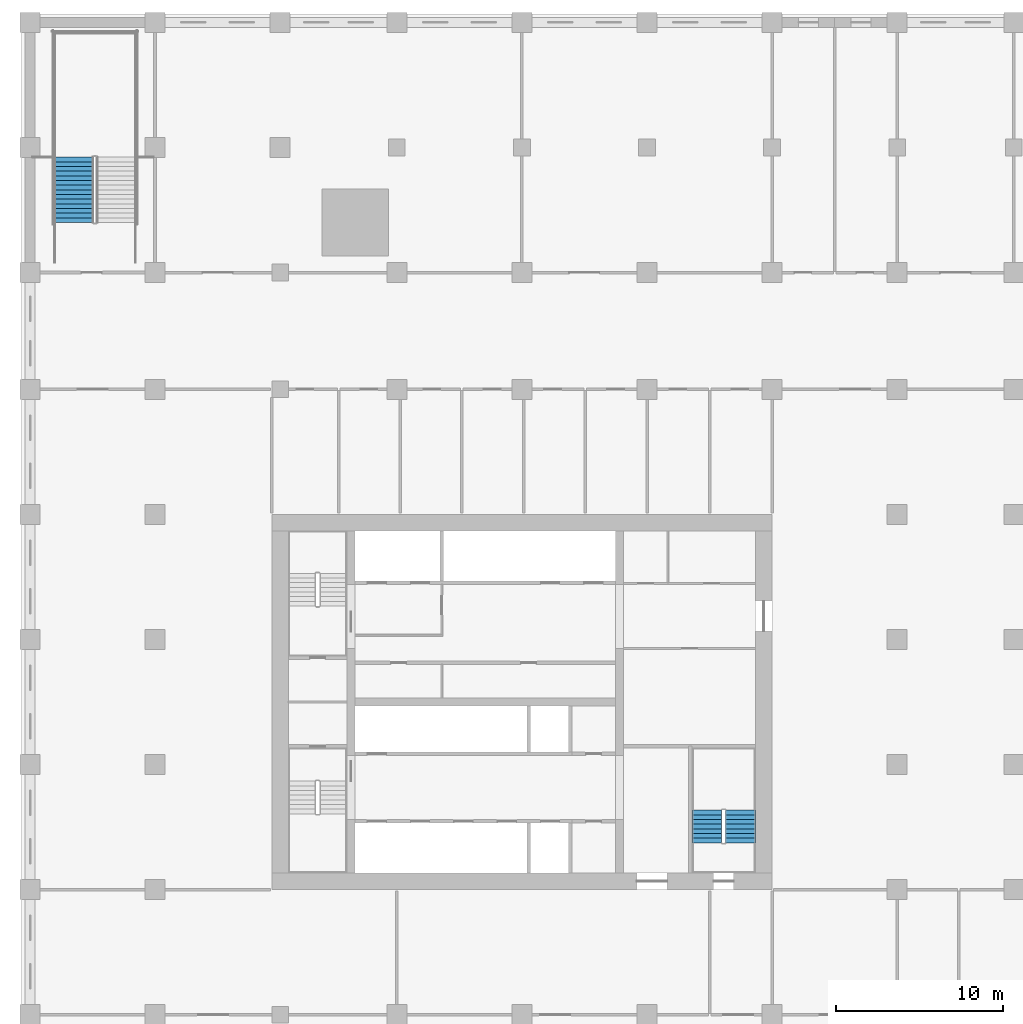
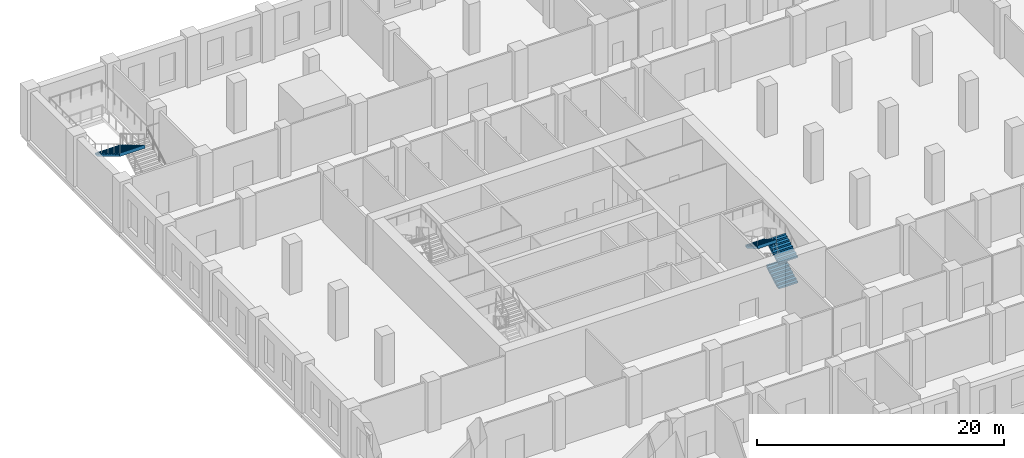
# One storey, part 15 of 22: 4 stair flights, 2 elements without a shape of their own.
"""IFC4 building model written with IfcOpenShell, lengths in metres."""

from ifc_helpers import new_model, si_unit, direction, frame, origin, place, context, subcontext, project, spatial, polyline, outline, extrude, material, type_object, element, aggregate, save


model = new_model("IFC4")

# Units and contexts
model_context = context("Model", 3, precision=1e-05, world=origin(), true_north=direction((0.0, 1.0)))
body_context = subcontext(model_context, "Body", "Model", "MODEL_VIEW")
ifc_project = project(units=[si_unit("LENGTHUNIT", "METRE"), si_unit("AREAUNIT", "SQUARE_METRE"), si_unit("VOLUMEUNIT", "CUBIC_METRE"), si_unit("PLANEANGLEUNIT", "RADIAN"), si_unit("MASSUNIT", "GRAM", prefix="KILO")], contexts=[model_context])

# Site, building, storey
site_placement = place(None, origin())
site = spatial("IfcSite", under=ifc_project, at=site_placement, CompositionType="ELEMENT")
building_placement = place(site_placement, origin())
building = spatial("IfcBuilding", under=site, at=building_placement, Name="Tamorin Gate", CompositionType="ELEMENT")
storey_placement = place(building_placement, frame((0.0, 0.0, 29.0)))
storey = spatial("IfcBuildingStorey", under=building, at=storey_placement, Name="L05", CompositionType="ELEMENT", Elevation=29.0)

# Stair, stair flights
ifc_material_1 = material(Name="Concrete C40/50", Category="concrete")
stair_type_1 = type_object("IfcStairType", Name="Exit stair", PredefinedType="HALF_TURN_STAIR", material=ifc_material_1)
stair_1_placement = place(storey_placement, origin())
stair_1 = element("IfcStair", 1, at=stair_1_placement, inside=storey, type_object=stair_type_1, Name="L05 stair ST3", PredefinedType="HALF_TURN_STAIR")
stair_flight_type_1 = type_object("IfcStairFlightType", Name="Exit stair flight", PredefinedType="STRAIGHT", material=ifc_material_1)
stair_flight_1_placement = place(storey_placement, frame((58.10009765625, 62.800048828125, 0.0), z_axis=(0.0, 0.0, 1.0), x_axis=(0.0, 1.0, 0.0)))
stair_flight_1 = element("IfcStairFlight", 2, at=stair_flight_1_placement, type_object=stair_flight_type_1, Name="ST3 flight 1", NumberOfRisers=8, NumberOfTreads=7, PredefinedType="STRAIGHT", RiserHeight=0.15625, TreadLength=0.28, context=body_context, shape_type="SweptSolid", body=[
    extrude(outline(polyline([(-0.00048828125, 0.0), (-0.00048828125, 0.00146484375), (-0.00048828125, 0.003173828125), (-0.00048828125, 0.004638671875), (-0.00048828125, 0.006103515625), (-0.00048828125, 0.0078125), (-0.00048828125, 0.00927734375), (-0.00048828125, 0.0107421875), (-0.00048828125, 0.012451171875), (-0.00048828125, 0.013916015625), (-0.00048828125, 0.015380859375), (-0.00048828125, 0.01708984375), (-0.00048828125, 0.0185546875), (-0.00048828125, 0.02001953125), (-0.00048828125, 0.021728515625), (-0.00048828125, 0.023193359375), (-0.00048828125, 0.024658203125), (-0.00048828125, 0.0263671875), (-0.00048828125, 0.02783203125), (-0.00048828125, 0.029296875), (-0.00048828125, 0.031005859375), (-0.00048828125, 0.032470703125), (-0.00048828125, 0.033935546875), (-0.00048828125, 0.03564453125), (-0.00048828125, 0.037109375), (-0.00048828125, 0.03857421875), (-0.00048828125, 0.040283203125), (-0.00048828125, 0.041748046875), (-0.00048828125, 0.043212890625), (-0.00048828125, 0.044921875), (-0.00048828125, 0.04638671875), (-0.00048828125, 0.0478515625), (-0.00048828125, 0.049560546875), (-0.00048828125, 0.051025390625), (-0.00048828125, 0.052490234375), (-0.00048828125, 0.05419921875), (-0.00048828125, 0.0556640625), (-0.00048828125, 0.05712890625), (-0.00048828125, 0.058837890625), (-0.00048828125, 0.060302734375), (-0.00048828125, 0.061767578125), (-0.00048828125, 0.0634765625), (-0.00048828125, 0.06494140625), (-0.00048828125, 0.06640625), (-0.00048828125, 0.068115234375), (-0.00048828125, 0.069580078125), (-0.00048828125, 0.071044921875), (-0.00048828125, 0.07275390625), (-0.00048828125, 0.07421875), (-0.00048828125, 0.07568359375), (-0.00048828125, 0.077392578125), (-0.00048828125, 0.078857421875), (-0.00048828125, 0.08056640625), (-0.00048828125, 0.08203125), (-0.00048828125, 0.08349609375), (-0.00048828125, 0.085205078125), (-0.00048828125, 0.086669921875), (-0.00048828125, 0.088134765625), (-0.00048828125, 0.08984375), (-0.00048828125, 0.09130859375), (-0.00048828125, 0.0927734375), (-0.00048828125, 0.094482421875), (-0.00048828125, 0.095947265625), (-0.00048828125, 0.097412109375), (-0.00048828125, 0.09912109375), (-0.00048828125, 0.1005859375), (-0.00048828125, 0.10205078125), (-0.00048828125, 0.103759765625), (-0.00048828125, 0.105224609375), (-0.00048828125, 0.106689453125), (-0.00048828125, 0.1083984375), (-0.00048828125, 0.10986328125), (-0.00048828125, 0.111328125), (-0.00048828125, 0.113037109375), (-0.00048828125, 0.114501953125), (-0.00048828125, 0.115966796875), (-0.00048828125, 0.11767578125), (-0.00048828125, 0.119140625), (-0.00048828125, 0.12060546875), (-0.00048828125, 0.122314453125), (-0.00048828125, 0.123779296875), (-0.00048828125, 0.125244140625), (-0.00048828125, 0.126953125), (-0.00048828125, 0.12841796875), (-0.00048828125, 0.1298828125), (-0.00048828125, 0.131591796875), (-0.00048828125, 0.133056640625), (-0.00048828125, 0.134521484375), (-0.00048828125, 0.13623046875), (-0.00048828125, 0.1376953125), (-0.00048828125, 0.13916015625), (-0.00048828125, 0.140869140625), (-0.00048828125, 0.142333984375), (-0.00048828125, 0.143798828125), (-0.00048828125, 0.1455078125), (-0.00048828125, 0.14697265625), (-0.00048828125, 0.1484375), (-0.00048828125, 0.150146484375), (-0.00048828125, 0.151611328125), (-0.00048828125, 0.153076171875), (-0.00048828125, 0.15478515625), (-0.00048828125, 0.15625), (0.280029296875, 0.15625), (0.280029296875, 0.3125), (0.56005859375, 0.3125), (0.56005859375, 0.46875), (0.840087890625, 0.46875), (0.840087890625, 0.625), (1.1201171875, 0.625), (1.1201171875, 0.78125), (1.39990234375, 0.78125), (1.39990234375, 0.9375), (1.679931640625, 0.9375), (1.679931640625, 1.09375), (1.9599609375, 1.09375), (1.9599609375, 1.25), (1.96044921875, 1.25), (1.96044921875, 1.246826171875), (1.96044921875, 1.243408203125), (1.96044921875, 1.240234375), (1.96044921875, 1.237060546875), (1.96044921875, 1.23388671875), (1.96044921875, 1.23046875), (1.96044921875, 1.227294921875), (1.96044921875, 1.22412109375), (1.96044921875, 1.220703125), (1.96044921875, 1.217529296875), (1.96044921875, 1.21435546875), (1.96044921875, 1.2109375), (1.96044921875, 1.207763671875), (1.96044921875, 1.20458984375), (1.96044921875, 1.201416015625), (1.96044921875, 1.197998046875), (1.96044921875, 1.19482421875), (1.96044921875, 1.191650390625), (1.96044921875, 1.188232421875), (1.96044921875, 1.18505859375), (1.96044921875, 1.181884765625), (1.96044921875, 1.178466796875), (1.96044921875, 1.17529296875), (1.96044921875, 1.172119140625), (1.96044921875, 1.1689453125), (1.96044921875, 1.16552734375), (1.96044921875, 1.162353515625), (1.96044921875, 1.1591796875), (1.96044921875, 1.15576171875), (1.96044921875, 1.152587890625), (1.96044921875, 1.1494140625), (1.96044921875, 1.14599609375), (1.96044921875, 1.142822265625), (1.96044921875, 1.1396484375), (1.96044921875, 1.136474609375), (1.96044921875, 1.133056640625), (1.96044921875, 1.1298828125), (1.96044921875, 1.126708984375), (1.96044921875, 1.123291015625), (1.96044921875, 1.1201171875), (1.96044921875, 1.116943359375), (1.96044921875, 1.113525390625), (1.96044921875, 1.1103515625), (1.96044921875, 1.107177734375), (1.96044921875, 1.10400390625), (1.96044921875, 1.1005859375), (1.96044921875, 1.097412109375), (1.96044921875, 1.09423828125), (1.96044921875, 1.0908203125), (1.96044921875, 1.087646484375), (1.96044921875, 1.08447265625), (1.96044921875, 1.0810546875), (1.96044921875, 1.077880859375), (1.96044921875, 1.07470703125), (1.96044921875, 1.071533203125), (1.96044921875, 1.068115234375), (1.96044921875, 1.06494140625), (1.96044921875, 1.061767578125), (1.96044921875, 1.058349609375), (1.96044921875, 1.05517578125), (1.96044921875, 1.052001953125), (1.96044921875, 1.048828125), (1.96044921875, 1.04541015625), (1.96044921875, 1.042236328125), (1.96044921875, 1.0390625), (1.96044921875, 1.03564453125), (1.96044921875, 1.032470703125), (1.96044921875, 1.029296875), (1.96044921875, 1.02587890625), (1.96044921875, 1.022705078125), (1.96044921875, 1.01953125), (1.96044921875, 1.016357421875), (1.96044921875, 1.012939453125), (1.96044921875, 1.009765625), (1.96044921875, 1.006591796875), (1.96044921875, 1.003173828125), (1.96044921875, 1.0), (1.96044921875, 0.996826171875), (1.96044921875, 0.993408203125), (1.96044921875, 0.990234375), (1.96044921875, 0.987060546875), (1.96044921875, 0.98388671875), (1.96044921875, 0.98046875), (1.96044921875, 0.977294921875), (1.96044921875, 0.97412109375), (1.96044921875, 0.970703125), (1.96044921875, 0.967529296875), (1.96044921875, 0.96435546875), (1.96044921875, 0.9609375), (1.96044921875, 0.957763671875), (1.96044921875, 0.95458984375), (1.96044921875, 0.951416015625), (1.96044921875, 0.947998046875), (1.96044921875, 0.94482421875), (1.96044921875, 0.941650390625), (1.96044921875, 0.938232421875), (1.96044921875, 0.93505859375), (1.96044921875, 0.931884765625), (1.96044921875, 0.928466796875), (1.96044921875, 0.92529296875), (1.96044921875, 0.922119140625), (1.9599609375, 0.922119140625), (0.3076171875, 0.0), (-0.00048828125, 0.0)])), frame((0.0, 0.89990234375, 0.0), z_axis=(0.0, -1.0, 0.0), x_axis=(1.0, 0.0, 0.0)), (0.0, 0.0, 1.0), 1.800048828125),
])
stair_flight_2_placement = place(storey_placement, frame((58.10009765625, 62.800048828125, 2.5), z_axis=(0.0, 0.0, 1.0), x_axis=(0.0, 1.0, 0.0)))
stair_flight_2 = element("IfcStairFlight", 3, at=stair_flight_2_placement, type_object=stair_flight_type_1, Name="ST3 flight 3", NumberOfRisers=8, NumberOfTreads=7, PredefinedType="STRAIGHT", RiserHeight=0.15625, TreadLength=0.28, context=body_context, shape_type="SweptSolid", body=[
    extrude(outline(polyline([(-0.00048828125, 0.0), (-0.00048828125, 0.00146484375), (-0.00048828125, 0.003173828125), (-0.00048828125, 0.004638671875), (-0.00048828125, 0.006103515625), (-0.00048828125, 0.0078125), (-0.00048828125, 0.00927734375), (-0.00048828125, 0.0107421875), (-0.00048828125, 0.012451171875), (-0.00048828125, 0.013916015625), (-0.00048828125, 0.015380859375), (-0.00048828125, 0.01708984375), (-0.00048828125, 0.0185546875), (-0.00048828125, 0.02001953125), (-0.00048828125, 0.021728515625), (-0.00048828125, 0.023193359375), (-0.00048828125, 0.024658203125), (-0.00048828125, 0.0263671875), (-0.00048828125, 0.02783203125), (-0.00048828125, 0.029296875), (-0.00048828125, 0.031005859375), (-0.00048828125, 0.032470703125), (-0.00048828125, 0.033935546875), (-0.00048828125, 0.03564453125), (-0.00048828125, 0.037109375), (-0.00048828125, 0.03857421875), (-0.00048828125, 0.040283203125), (-0.00048828125, 0.041748046875), (-0.00048828125, 0.043212890625), (-0.00048828125, 0.044921875), (-0.00048828125, 0.04638671875), (-0.00048828125, 0.0478515625), (-0.00048828125, 0.049560546875), (-0.00048828125, 0.051025390625), (-0.00048828125, 0.052490234375), (-0.00048828125, 0.05419921875), (-0.00048828125, 0.0556640625), (-0.00048828125, 0.05712890625), (-0.00048828125, 0.058837890625), (-0.00048828125, 0.060302734375), (-0.00048828125, 0.061767578125), (-0.00048828125, 0.0634765625), (-0.00048828125, 0.06494140625), (-0.00048828125, 0.06640625), (-0.00048828125, 0.068115234375), (-0.00048828125, 0.069580078125), (-0.00048828125, 0.071044921875), (-0.00048828125, 0.07275390625), (-0.00048828125, 0.07421875), (-0.00048828125, 0.07568359375), (-0.00048828125, 0.077392578125), (-0.00048828125, 0.078857421875), (-0.00048828125, 0.08056640625), (-0.00048828125, 0.08203125), (-0.00048828125, 0.08349609375), (-0.00048828125, 0.085205078125), (-0.00048828125, 0.086669921875), (-0.00048828125, 0.088134765625), (-0.00048828125, 0.08984375), (-0.00048828125, 0.09130859375), (-0.00048828125, 0.0927734375), (-0.00048828125, 0.094482421875), (-0.00048828125, 0.095947265625), (-0.00048828125, 0.097412109375), (-0.00048828125, 0.09912109375), (-0.00048828125, 0.1005859375), (-0.00048828125, 0.10205078125), (-0.00048828125, 0.103759765625), (-0.00048828125, 0.105224609375), (-0.00048828125, 0.106689453125), (-0.00048828125, 0.1083984375), (-0.00048828125, 0.10986328125), (-0.00048828125, 0.111328125), (-0.00048828125, 0.113037109375), (-0.00048828125, 0.114501953125), (-0.00048828125, 0.115966796875), (-0.00048828125, 0.11767578125), (-0.00048828125, 0.119140625), (-0.00048828125, 0.12060546875), (-0.00048828125, 0.122314453125), (-0.00048828125, 0.123779296875), (-0.00048828125, 0.125244140625), (-0.00048828125, 0.126953125), (-0.00048828125, 0.12841796875), (-0.00048828125, 0.1298828125), (-0.00048828125, 0.131591796875), (-0.00048828125, 0.133056640625), (-0.00048828125, 0.134521484375), (-0.00048828125, 0.13623046875), (-0.00048828125, 0.1376953125), (-0.00048828125, 0.13916015625), (-0.00048828125, 0.140869140625), (-0.00048828125, 0.142333984375), (-0.00048828125, 0.143798828125), (-0.00048828125, 0.1455078125), (-0.00048828125, 0.14697265625), (-0.00048828125, 0.1484375), (-0.00048828125, 0.150146484375), (-0.00048828125, 0.151611328125), (-0.00048828125, 0.153076171875), (-0.00048828125, 0.15478515625), (-0.00048828125, 0.15625), (0.280029296875, 0.15625), (0.280029296875, 0.3125), (0.56005859375, 0.3125), (0.56005859375, 0.46875), (0.840087890625, 0.46875), (0.840087890625, 0.625), (1.1201171875, 0.625), (1.1201171875, 0.78125), (1.39990234375, 0.78125), (1.39990234375, 0.9375), (1.679931640625, 0.9375), (1.679931640625, 1.09375), (1.9599609375, 1.09375), (1.9599609375, 1.25), (1.96044921875, 1.25), (1.96044921875, 1.246826171875), (1.96044921875, 1.243408203125), (1.96044921875, 1.240234375), (1.96044921875, 1.237060546875), (1.96044921875, 1.23388671875), (1.96044921875, 1.23046875), (1.96044921875, 1.227294921875), (1.96044921875, 1.22412109375), (1.96044921875, 1.220703125), (1.96044921875, 1.217529296875), (1.96044921875, 1.21435546875), (1.96044921875, 1.2109375), (1.96044921875, 1.207763671875), (1.96044921875, 1.20458984375), (1.96044921875, 1.201416015625), (1.96044921875, 1.197998046875), (1.96044921875, 1.19482421875), (1.96044921875, 1.191650390625), (1.96044921875, 1.188232421875), (1.96044921875, 1.18505859375), (1.96044921875, 1.181884765625), (1.96044921875, 1.178466796875), (1.96044921875, 1.17529296875), (1.96044921875, 1.172119140625), (1.96044921875, 1.1689453125), (1.96044921875, 1.16552734375), (1.96044921875, 1.162353515625), (1.96044921875, 1.1591796875), (1.96044921875, 1.15576171875), (1.96044921875, 1.152587890625), (1.96044921875, 1.1494140625), (1.96044921875, 1.14599609375), (1.96044921875, 1.142822265625), (1.96044921875, 1.1396484375), (1.96044921875, 1.136474609375), (1.96044921875, 1.133056640625), (1.96044921875, 1.1298828125), (1.96044921875, 1.126708984375), (1.96044921875, 1.123291015625), (1.96044921875, 1.1201171875), (1.96044921875, 1.116943359375), (1.96044921875, 1.113525390625), (1.96044921875, 1.1103515625), (1.96044921875, 1.107177734375), (1.96044921875, 1.10400390625), (1.96044921875, 1.1005859375), (1.96044921875, 1.097412109375), (1.96044921875, 1.09423828125), (1.96044921875, 1.0908203125), (1.96044921875, 1.087646484375), (1.96044921875, 1.08447265625), (1.96044921875, 1.0810546875), (1.96044921875, 1.077880859375), (1.96044921875, 1.07470703125), (1.96044921875, 1.071533203125), (1.96044921875, 1.068115234375), (1.96044921875, 1.06494140625), (1.96044921875, 1.061767578125), (1.96044921875, 1.058349609375), (1.96044921875, 1.05517578125), (1.96044921875, 1.052001953125), (1.96044921875, 1.048828125), (1.96044921875, 1.04541015625), (1.96044921875, 1.042236328125), (1.96044921875, 1.0390625), (1.96044921875, 1.03564453125), (1.96044921875, 1.032470703125), (1.96044921875, 1.029296875), (1.96044921875, 1.02587890625), (1.96044921875, 1.022705078125), (1.96044921875, 1.01953125), (1.96044921875, 1.016357421875), (1.96044921875, 1.012939453125), (1.96044921875, 1.009765625), (1.96044921875, 1.006591796875), (1.96044921875, 1.003173828125), (1.96044921875, 1.0), (1.96044921875, 0.996826171875), (1.96044921875, 0.993408203125), (1.96044921875, 0.990234375), (1.96044921875, 0.987060546875), (1.96044921875, 0.98388671875), (1.96044921875, 0.98046875), (1.96044921875, 0.977294921875), (1.96044921875, 0.97412109375), (1.96044921875, 0.970703125), (1.96044921875, 0.967529296875), (1.96044921875, 0.96435546875), (1.96044921875, 0.9609375), (1.96044921875, 0.957763671875), (1.96044921875, 0.95458984375), (1.96044921875, 0.951416015625), (1.96044921875, 0.947998046875), (1.96044921875, 0.94482421875), (1.96044921875, 0.941650390625), (1.96044921875, 0.938232421875), (1.96044921875, 0.93505859375), (1.96044921875, 0.931884765625), (1.96044921875, 0.928466796875), (1.96044921875, 0.92529296875), (1.96044921875, 0.922119140625), (1.9599609375, 0.922119140625), (0.3076171875, 0.0), (-0.00048828125, 0.0)])), frame((0.0, 0.89990234375, 0.0), z_axis=(0.0, -1.0, 0.0), x_axis=(1.0, 0.0, 0.0)), (0.0, 0.0, 1.0), 1.800048828125),
])
stair_flight_3_placement = place(storey_placement, frame((56.10009765625, 64.760009765625, 3.75), z_axis=(0.0, 0.0, 1.0), x_axis=(0.0, -1.0, 0.0)))
stair_flight_3 = element("IfcStairFlight", 4, at=stair_flight_3_placement, type_object=stair_flight_type_1, Name="ST3 flight 4", NumberOfRisers=8, NumberOfTreads=7, PredefinedType="STRAIGHT", RiserHeight=0.15625, TreadLength=0.28, context=body_context, shape_type="SweptSolid", body=[
    extrude(outline(polyline([(-0.00048828125, 0.0), (-0.00048828125, 0.00146484375), (-0.00048828125, 0.003173828125), (-0.00048828125, 0.004638671875), (-0.00048828125, 0.006103515625), (-0.00048828125, 0.0078125), (-0.00048828125, 0.00927734375), (-0.00048828125, 0.0107421875), (-0.00048828125, 0.012451171875), (-0.00048828125, 0.013916015625), (-0.00048828125, 0.015380859375), (-0.00048828125, 0.01708984375), (-0.00048828125, 0.0185546875), (-0.00048828125, 0.02001953125), (-0.00048828125, 0.021728515625), (-0.00048828125, 0.023193359375), (-0.00048828125, 0.024658203125), (-0.00048828125, 0.0263671875), (-0.00048828125, 0.02783203125), (-0.00048828125, 0.029296875), (-0.00048828125, 0.031005859375), (-0.00048828125, 0.032470703125), (-0.00048828125, 0.033935546875), (-0.00048828125, 0.03564453125), (-0.00048828125, 0.037109375), (-0.00048828125, 0.03857421875), (-0.00048828125, 0.040283203125), (-0.00048828125, 0.041748046875), (-0.00048828125, 0.043212890625), (-0.00048828125, 0.044921875), (-0.00048828125, 0.04638671875), (-0.00048828125, 0.0478515625), (-0.00048828125, 0.049560546875), (-0.00048828125, 0.051025390625), (-0.00048828125, 0.052490234375), (-0.00048828125, 0.05419921875), (-0.00048828125, 0.0556640625), (-0.00048828125, 0.05712890625), (-0.00048828125, 0.058837890625), (-0.00048828125, 0.060302734375), (-0.00048828125, 0.061767578125), (-0.00048828125, 0.0634765625), (-0.00048828125, 0.06494140625), (-0.00048828125, 0.06640625), (-0.00048828125, 0.068115234375), (-0.00048828125, 0.069580078125), (-0.00048828125, 0.071044921875), (-0.00048828125, 0.07275390625), (-0.00048828125, 0.07421875), (-0.00048828125, 0.07568359375), (-0.00048828125, 0.077392578125), (-0.00048828125, 0.078857421875), (-0.00048828125, 0.08056640625), (-0.00048828125, 0.08203125), (-0.00048828125, 0.08349609375), (-0.00048828125, 0.085205078125), (-0.00048828125, 0.086669921875), (-0.00048828125, 0.088134765625), (-0.00048828125, 0.08984375), (-0.00048828125, 0.09130859375), (-0.00048828125, 0.0927734375), (-0.00048828125, 0.094482421875), (-0.00048828125, 0.095947265625), (-0.00048828125, 0.097412109375), (-0.00048828125, 0.09912109375), (-0.00048828125, 0.1005859375), (-0.00048828125, 0.10205078125), (-0.00048828125, 0.103759765625), (-0.00048828125, 0.105224609375), (-0.00048828125, 0.106689453125), (-0.00048828125, 0.1083984375), (-0.00048828125, 0.10986328125), (-0.00048828125, 0.111328125), (-0.00048828125, 0.113037109375), (-0.00048828125, 0.114501953125), (-0.00048828125, 0.115966796875), (-0.00048828125, 0.11767578125), (-0.00048828125, 0.119140625), (-0.00048828125, 0.12060546875), (-0.00048828125, 0.122314453125), (-0.00048828125, 0.123779296875), (-0.00048828125, 0.125244140625), (-0.00048828125, 0.126953125), (-0.00048828125, 0.12841796875), (-0.00048828125, 0.1298828125), (-0.00048828125, 0.131591796875), (-0.00048828125, 0.133056640625), (-0.00048828125, 0.134521484375), (-0.00048828125, 0.13623046875), (-0.00048828125, 0.1376953125), (-0.00048828125, 0.13916015625), (-0.00048828125, 0.140869140625), (-0.00048828125, 0.142333984375), (-0.00048828125, 0.143798828125), (-0.00048828125, 0.1455078125), (-0.00048828125, 0.14697265625), (-0.00048828125, 0.1484375), (-0.00048828125, 0.150146484375), (-0.00048828125, 0.151611328125), (-0.00048828125, 0.153076171875), (-0.00048828125, 0.15478515625), (-0.00048828125, 0.15625), (0.280029296875, 0.15625), (0.280029296875, 0.3125), (0.56005859375, 0.3125), (0.56005859375, 0.46875), (0.840087890625, 0.46875), (0.840087890625, 0.625), (1.1201171875, 0.625), (1.1201171875, 0.78125), (1.39990234375, 0.78125), (1.39990234375, 0.9375), (1.679931640625, 0.9375), (1.679931640625, 1.09375), (1.9599609375, 1.09375), (1.9599609375, 1.25), (1.96044921875, 1.25), (1.96044921875, 1.246826171875), (1.96044921875, 1.243408203125), (1.96044921875, 1.240234375), (1.96044921875, 1.237060546875), (1.96044921875, 1.23388671875), (1.96044921875, 1.23046875), (1.96044921875, 1.227294921875), (1.96044921875, 1.22412109375), (1.96044921875, 1.220703125), (1.96044921875, 1.217529296875), (1.96044921875, 1.21435546875), (1.96044921875, 1.2109375), (1.96044921875, 1.207763671875), (1.96044921875, 1.20458984375), (1.96044921875, 1.201416015625), (1.96044921875, 1.197998046875), (1.96044921875, 1.19482421875), (1.96044921875, 1.191650390625), (1.96044921875, 1.188232421875), (1.96044921875, 1.18505859375), (1.96044921875, 1.181884765625), (1.96044921875, 1.178466796875), (1.96044921875, 1.17529296875), (1.96044921875, 1.172119140625), (1.96044921875, 1.1689453125), (1.96044921875, 1.16552734375), (1.96044921875, 1.162353515625), (1.96044921875, 1.1591796875), (1.96044921875, 1.15576171875), (1.96044921875, 1.152587890625), (1.96044921875, 1.1494140625), (1.96044921875, 1.14599609375), (1.96044921875, 1.142822265625), (1.96044921875, 1.1396484375), (1.96044921875, 1.136474609375), (1.96044921875, 1.133056640625), (1.96044921875, 1.1298828125), (1.96044921875, 1.126708984375), (1.96044921875, 1.123291015625), (1.96044921875, 1.1201171875), (1.96044921875, 1.116943359375), (1.96044921875, 1.113525390625), (1.96044921875, 1.1103515625), (1.96044921875, 1.107177734375), (1.96044921875, 1.10400390625), (1.96044921875, 1.1005859375), (1.96044921875, 1.097412109375), (1.96044921875, 1.09423828125), (1.96044921875, 1.0908203125), (1.96044921875, 1.087646484375), (1.96044921875, 1.08447265625), (1.96044921875, 1.0810546875), (1.96044921875, 1.077880859375), (1.96044921875, 1.07470703125), (1.96044921875, 1.071533203125), (1.96044921875, 1.068115234375), (1.96044921875, 1.06494140625), (1.96044921875, 1.061767578125), (1.96044921875, 1.058349609375), (1.96044921875, 1.05517578125), (1.96044921875, 1.052001953125), (1.96044921875, 1.048828125), (1.96044921875, 1.04541015625), (1.96044921875, 1.042236328125), (1.96044921875, 1.0390625), (1.96044921875, 1.03564453125), (1.96044921875, 1.032470703125), (1.96044921875, 1.029296875), (1.96044921875, 1.02587890625), (1.96044921875, 1.022705078125), (1.96044921875, 1.01953125), (1.96044921875, 1.016357421875), (1.96044921875, 1.012939453125), (1.96044921875, 1.009765625), (1.96044921875, 1.006591796875), (1.96044921875, 1.003173828125), (1.96044921875, 1.0), (1.96044921875, 0.996826171875), (1.96044921875, 0.993408203125), (1.96044921875, 0.990234375), (1.96044921875, 0.987060546875), (1.96044921875, 0.98388671875), (1.96044921875, 0.98046875), (1.96044921875, 0.977294921875), (1.96044921875, 0.97412109375), (1.96044921875, 0.970703125), (1.96044921875, 0.967529296875), (1.96044921875, 0.96435546875), (1.96044921875, 0.9609375), (1.96044921875, 0.957763671875), (1.96044921875, 0.95458984375), (1.96044921875, 0.951416015625), (1.96044921875, 0.947998046875), (1.96044921875, 0.94482421875), (1.96044921875, 0.941650390625), (1.96044921875, 0.938232421875), (1.96044921875, 0.93505859375), (1.96044921875, 0.931884765625), (1.96044921875, 0.928466796875), (1.96044921875, 0.92529296875), (1.96044921875, 0.922119140625), (1.9599609375, 0.922119140625), (0.3076171875, 0.0), (-0.00048828125, 0.0)])), frame((0.0, 0.89990234375, 0.0), z_axis=(0.0, -1.0, 0.0), x_axis=(1.0, 0.0, 0.0)), (0.0, 0.0, 1.0), 1.800048828125),
])
aggregate(stair_1, [stair_flight_1, stair_flight_2, stair_flight_3])

# Stair, stair flight
ifc_material_2 = material(Name="Reinforced concrete C32/40", Category="concrete")
stair_type_2 = type_object("IfcStairType", Name="Podium stair PS", PredefinedType="HALF_TURN_STAIR", material=ifc_material_2)
stair_2_placement = place(storey_placement, origin())
stair_2 = element("IfcStair", 5, at=stair_2_placement, inside=storey, type_object=stair_type_2, Name="L05 Podium stair PS2", PredefinedType="HALF_TURN_STAIR")
stair_flight_type_2 = type_object("IfcStairFlightType", Name="Stair flight 2400", PredefinedType="STRAIGHT", material=ifc_material_2)
stair_flight_4_placement = place(storey_placement, frame((18.125, 103.919921875, 2.5), z_axis=(0.0, 0.0, 1.0), x_axis=(0.0, -1.0, 0.0)))
stair_flight_4 = element("IfcStairFlight", 6, at=stair_flight_4_placement, type_object=stair_flight_type_2, Name="PS2 flight 2", NumberOfRisers=15, NumberOfTreads=14, PredefinedType="STRAIGHT", RiserHeight=0.166666667, TreadLength=0.28, context=body_context, shape_type="SweptSolid", body=[
    extrude(outline(polyline([(-0.00048828125, 0.0), (-0.00048828125, 0.001708984375), (-0.00048828125, 0.00341796875), (-0.00048828125, 0.0048828125), (-0.00048828125, 0.006591796875), (-0.00048828125, 0.00830078125), (-0.00048828125, 0.010009765625), (-0.00048828125, 0.011474609375), (-0.00048828125, 0.01318359375), (-0.00048828125, 0.014892578125), (-0.00048828125, 0.0166015625), (-0.00048828125, 0.01806640625), (-0.00048828125, 0.019775390625), (-0.00048828125, 0.021484375), (-0.00048828125, 0.023193359375), (-0.00048828125, 0.024658203125), (-0.00048828125, 0.0263671875), (-0.00048828125, 0.028076171875), (-0.00048828125, 0.02978515625), (-0.00048828125, 0.03125), (-0.00048828125, 0.032958984375), (-0.00048828125, 0.03466796875), (-0.00048828125, 0.036376953125), (-0.00048828125, 0.037841796875), (-0.00048828125, 0.03955078125), (-0.00048828125, 0.041259765625), (-0.00048828125, 0.04296875), (-0.00048828125, 0.04443359375), (-0.00048828125, 0.046142578125), (-0.00048828125, 0.0478515625), (-0.00048828125, 0.049560546875), (-0.00048828125, 0.05126953125), (-0.00048828125, 0.052734375), (-0.00048828125, 0.054443359375), (-0.00048828125, 0.05615234375), (-0.00048828125, 0.057861328125), (-0.00048828125, 0.059326171875), (-0.00048828125, 0.06103515625), (-0.00048828125, 0.062744140625), (-0.00048828125, 0.064453125), (-0.00048828125, 0.06591796875), (-0.00048828125, 0.067626953125), (-0.00048828125, 0.0693359375), (-0.00048828125, 0.071044921875), (-0.00048828125, 0.072509765625), (-0.00048828125, 0.07421875), (-0.00048828125, 0.075927734375), (-0.00048828125, 0.07763671875), (-0.00048828125, 0.0791015625), (-0.00048828125, 0.080810546875), (-0.00048828125, 0.08251953125), (-0.00048828125, 0.084228515625), (-0.00048828125, 0.085693359375), (-0.00048828125, 0.08740234375), (-0.00048828125, 0.089111328125), (-0.00048828125, 0.0908203125), (-0.00048828125, 0.092529296875), (-0.00048828125, 0.093994140625), (-0.00048828125, 0.095703125), (-0.00048828125, 0.097412109375), (-0.00048828125, 0.09912109375), (-0.00048828125, 0.1005859375), (-0.00048828125, 0.102294921875), (-0.00048828125, 0.10400390625), (-0.00048828125, 0.105712890625), (-0.00048828125, 0.107177734375), (-0.00048828125, 0.10888671875), (-0.00048828125, 0.110595703125), (-0.00048828125, 0.1123046875), (-0.00048828125, 0.11376953125), (-0.00048828125, 0.115478515625), (-0.00048828125, 0.1171875), (-0.00048828125, 0.118896484375), (-0.00048828125, 0.120361328125), (-0.00048828125, 0.1220703125), (-0.00048828125, 0.123779296875), (-0.00048828125, 0.12548828125), (-0.00048828125, 0.126953125), (-0.00048828125, 0.128662109375), (-0.00048828125, 0.13037109375), (-0.00048828125, 0.132080078125), (-0.00048828125, 0.133544921875), (-0.00048828125, 0.13525390625), (-0.00048828125, 0.136962890625), (-0.00048828125, 0.138671875), (-0.00048828125, 0.140380859375), (-0.00048828125, 0.141845703125), (-0.00048828125, 0.1435546875), (-0.00048828125, 0.145263671875), (-0.00048828125, 0.14697265625), (-0.00048828125, 0.1484375), (-0.00048828125, 0.150146484375), (-0.00048828125, 0.15185546875), (-0.00048828125, 0.153564453125), (-0.00048828125, 0.155029296875), (-0.00048828125, 0.15673828125), (-0.00048828125, 0.158447265625), (-0.00048828125, 0.16015625), (-0.00048828125, 0.16162109375), (-0.00048828125, 0.163330078125), (-0.00048828125, 0.1650390625), (-0.00048828125, 0.166748046875), (0.280029296875, 0.166748046875), (0.280029296875, 0.333251953125), (0.56005859375, 0.333251953125), (0.56005859375, 0.5), (0.840087890625, 0.5), (0.840087890625, 0.666748046875), (1.1201171875, 0.666748046875), (1.1201171875, 0.833251953125), (1.39990234375, 0.833251953125), (1.39990234375, 1.0), (1.679931640625, 1.0), (1.679931640625, 1.166748046875), (1.9599609375, 1.166748046875), (1.9599609375, 1.333251953125), (2.239990234375, 1.333251953125), (2.239990234375, 1.5), (2.52001953125, 1.5), (2.52001953125, 1.666748046875), (2.800048828125, 1.666748046875), (2.800048828125, 1.833251953125), (3.080078125, 1.833251953125), (3.080078125, 2.0), (3.360107421875, 2.0), (3.360107421875, 2.166748046875), (3.639892578125, 2.166748046875), (3.639892578125, 2.333251953125), (3.919921875, 2.333251953125), (3.919921875, 2.5), (3.92041015625, 2.5), (3.92041015625, 2.49658203125), (3.92041015625, 2.4931640625), (3.92041015625, 2.48974609375), (3.92041015625, 2.486572265625), (3.92041015625, 2.483154296875), (3.92041015625, 2.479736328125), (3.92041015625, 2.476318359375), (3.92041015625, 2.472900390625), (3.92041015625, 2.469482421875), (3.92041015625, 2.46630859375), (3.92041015625, 2.462890625), (3.92041015625, 2.45947265625), (3.92041015625, 2.4560546875), (3.92041015625, 2.45263671875), (3.92041015625, 2.44921875), (3.92041015625, 2.446044921875), (3.92041015625, 2.442626953125), (3.92041015625, 2.439208984375), (3.92041015625, 2.435791015625), (3.92041015625, 2.432373046875), (3.92041015625, 2.428955078125), (3.92041015625, 2.42578125), (3.92041015625, 2.42236328125), (3.92041015625, 2.4189453125), (3.92041015625, 2.41552734375), (3.92041015625, 2.412109375), (3.92041015625, 2.40869140625), (3.92041015625, 2.405517578125), (3.92041015625, 2.402099609375), (3.92041015625, 2.398681640625), (3.92041015625, 2.395263671875), (3.92041015625, 2.391845703125), (3.92041015625, 2.388427734375), (3.92041015625, 2.38525390625), (3.92041015625, 2.3818359375), (3.92041015625, 2.37841796875), (3.92041015625, 2.375), (3.92041015625, 2.37158203125), (3.92041015625, 2.3681640625), (3.92041015625, 2.364990234375), (3.92041015625, 2.361572265625), (3.92041015625, 2.358154296875), (3.92041015625, 2.354736328125), (3.92041015625, 2.351318359375), (3.92041015625, 2.347900390625), (3.92041015625, 2.3447265625), (3.92041015625, 2.34130859375), (3.92041015625, 2.337890625), (3.92041015625, 2.33447265625), (3.92041015625, 2.3310546875), (3.92041015625, 2.32763671875), (3.92041015625, 2.324462890625), (3.92041015625, 2.321044921875), (3.92041015625, 2.317626953125), (3.92041015625, 2.314208984375), (3.92041015625, 2.310791015625), (3.92041015625, 2.307373046875), (3.92041015625, 2.30419921875), (3.92041015625, 2.30078125), (3.92041015625, 2.29736328125), (3.92041015625, 2.2939453125), (3.92041015625, 2.29052734375), (3.92041015625, 2.287109375), (3.92041015625, 2.283935546875), (3.92041015625, 2.280517578125), (3.92041015625, 2.277099609375), (3.92041015625, 2.273681640625), (3.92041015625, 2.270263671875), (3.92041015625, 2.266845703125), (3.92041015625, 2.263671875), (3.92041015625, 2.26025390625), (3.92041015625, 2.2568359375), (3.92041015625, 2.25341796875), (3.92041015625, 2.25), (3.92041015625, 2.24658203125), (3.92041015625, 2.243408203125), (3.92041015625, 2.239990234375), (3.92041015625, 2.236572265625), (3.92041015625, 2.233154296875), (3.92041015625, 2.229736328125), (3.92041015625, 2.226318359375), (3.92041015625, 2.22314453125), (3.92041015625, 2.2197265625), (3.92041015625, 2.21630859375), (3.92041015625, 2.212890625), (3.92041015625, 2.20947265625), (3.92041015625, 2.2060546875), (3.92041015625, 2.202880859375), (3.92041015625, 2.199462890625), (3.92041015625, 2.196044921875), (3.92041015625, 2.192626953125), (3.92041015625, 2.189208984375), (3.92041015625, 2.185791015625), (3.92041015625, 2.1826171875), (3.92041015625, 2.17919921875), (3.92041015625, 2.17578125), (3.92041015625, 2.17236328125), (3.92041015625, 2.1689453125), (3.92041015625, 2.16552734375), (3.92041015625, 2.162353515625), (3.92041015625, 2.158935546875), (3.919921875, 2.158935546875), (0.29296875, 0.0), (-0.00048828125, 0.0)])), frame((0.0, 1.199951171875, 0.0), z_axis=(0.0, -1.0, 0.0), x_axis=(1.0, 0.0, 0.0)), (0.0, 0.0, 1.0), 2.39990234375),
])
aggregate(stair_2, [stair_flight_4])

save(model, "model.ifc")
